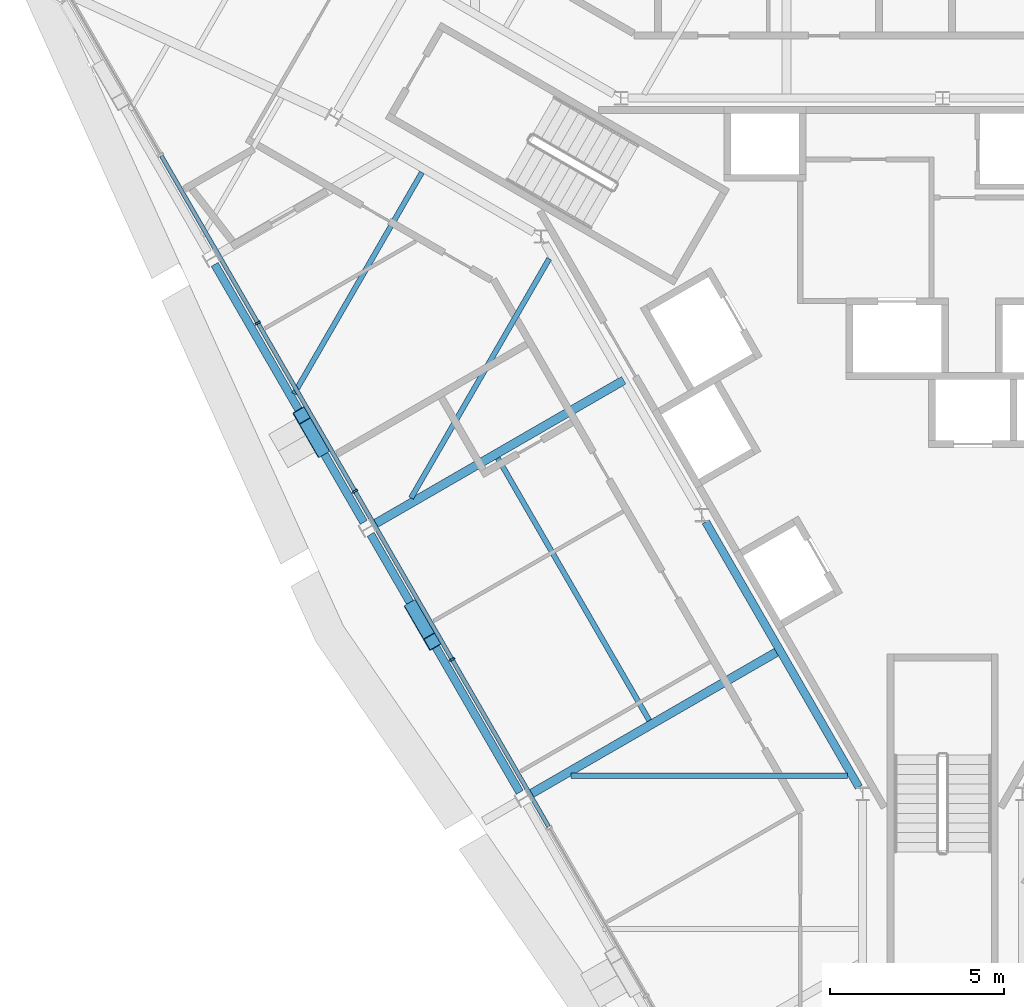
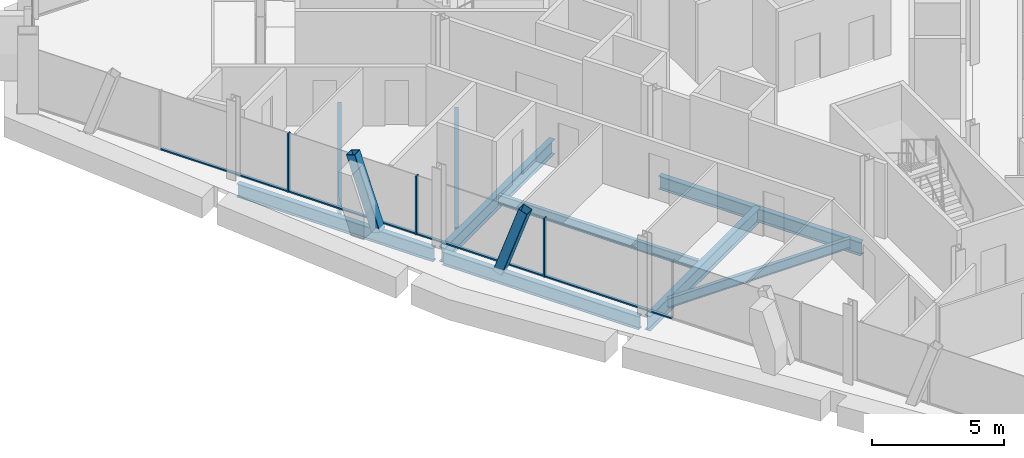
# One storey, part 4 of 16: 9 beams, 9 members, 1 element without a shape of its own.
"""IFC4 building model written with IfcOpenShell, lengths in metres."""

import ifcopenshell
import ifcopenshell.guid

model = None  # the IFC model being written
_history = None  # IfcOwnerHistory: only IFC2X3 demands one
_inside = {}  # id of a spatial element -> (the spatial element, [elements in it])
_under = {}  # id of a project, library or spatial element -> (it, [spatial elements below it])
_declared = {}  # id of a project -> (the project, [libraries it declares])
_typed = {}  # id of a type object -> (the type object, [elements of that type])
_made_of = {}  # id of a material, layer set ... -> (it, [elements and type objects made of it])


def new_model(schema):
    """Start an empty IFC model of exactly this schema.

    Asked for "IFC4X3", IfcOpenShell would pick the latest addendum, in which some entities
    have other attributes; the version numbers below select the first issue.
    IFC2X3 requires an IfcOwnerHistory on every rooted entity: one is made here for all.
    """
    global model, _history
    if schema == "IFC4X3":
        model = ifcopenshell.file(schema_version=(4, 3, 0, 0))
    else:
        model = ifcopenshell.file(schema=schema)
    _inside.clear()
    _under.clear()
    _declared.clear()
    _typed.clear()
    _made_of.clear()
    _history = None
    if model.schema == "IFC2X3":
        org = make("IfcOrganization", Name="unknown")
        user = make(
            "IfcPersonAndOrganization",
            ThePerson=make("IfcPerson", FamilyName="unknown"),
            TheOrganization=org,
        )
        app = make(
            "IfcApplication",
            ApplicationDeveloper=org,
            Version="unknown",
            ApplicationFullName="unknown",
            ApplicationIdentifier="unknown",
        )
        _history = make(
            "IfcOwnerHistory",
            OwningUser=user,
            OwningApplication=app,
            ChangeAction="ADDED",
            CreationDate=0,
        )
    return model


def make(cls, **values):
    """One entity of the class cls with the attributes given. An attribute that is None is left unset."""
    return model.create_entity(
        cls, **{name: value for name, value in values.items() if value is not None}
    )


def rooted(cls, **values):
    """An entity with a GlobalId (a new one), such as an element, a storey or a relation."""
    return make(cls, GlobalId=ifcopenshell.guid.new(), OwnerHistory=_history, **values)


def si_unit(unit_type, name, prefix=None):
    """IfcSIUnit, for example si_unit("LENGTHUNIT", "METRE", prefix="MILLI")."""
    return make("IfcSIUnit", UnitType=unit_type, Prefix=prefix, Name=name)


def assignment(units):
    """IfcUnitAssignment: the units of a project."""
    return None if units is None else make("IfcUnitAssignment", Units=units)


def point(xyz):
    """IfcCartesianPoint."""
    return None if xyz is None else make("IfcCartesianPoint", Coordinates=xyz)


def direction(xyz):
    """IfcDirection."""
    return None if xyz is None else make("IfcDirection", DirectionRatios=xyz)


def frame(location, z_axis=None, x_axis=None):
    """IfcAxis2Placement3D, a coordinate frame: its origin and axes. An axis left out is left unset."""
    return make(
        "IfcAxis2Placement3D",
        Location=point(location),
        Axis=direction(z_axis),
        RefDirection=direction(x_axis),
    )


def frame_2d(location, x_axis=None):
    """IfcAxis2Placement2D, a coordinate frame in the plane: its origin and x axis."""
    return make(
        "IfcAxis2Placement2D", Location=point(location), RefDirection=direction(x_axis)
    )


def origin():
    """The frame at (0, 0, 0) with its axes left unset."""
    return frame((0.0, 0.0, 0.0))


def origin_2d():
    """The frame at (0, 0) in the plane with its x axis left unset."""
    return frame_2d((0.0, 0.0))


def place(relative_to, where):
    """IfcLocalPlacement: puts the frame where relative to a parent placement (None: the world)."""
    return make(
        "IfcLocalPlacement", PlacementRelTo=relative_to, RelativePlacement=where
    )


def context(
    kind, dimensions, precision=None, world=None, true_north=None, identifier=None
):
    """IfcGeometricRepresentationContext, for example the 3D "Model" context."""
    return make(
        "IfcGeometricRepresentationContext",
        ContextIdentifier=identifier,
        ContextType=kind,
        CoordinateSpaceDimension=dimensions,
        Precision=precision,
        WorldCoordinateSystem=world,
        TrueNorth=true_north,
    )


def subcontext(parent, identifier, kind, view, scale=None):
    """IfcGeometricRepresentationSubContext, for example "Body" below "Model"."""
    return make(
        "IfcGeometricRepresentationSubContext",
        ContextIdentifier=identifier,
        ContextType=kind,
        ParentContext=parent,
        TargetScale=scale,
        TargetView=view,
    )


def project(units=None, contexts=None):
    """IfcProject with its units and contexts."""
    return rooted(
        "IfcProject",
        Name="project",
        RepresentationContexts=contexts,
        UnitsInContext=assignment(units),
    )


def spatial(cls, under=None, at=None, **own):
    """A site, building, storey or space (cls), placed at a placement, below another one or the project."""
    s = rooted(cls, ObjectPlacement=at, **own)
    if under is not None:
        _under.setdefault(under.id(), (under, []))[1].append(s)
    return s


def profile(cls, at=None, kind="AREA", **sizes):
    """A parametric profile (cls). Its sizes go by their IFC names, for example OverallWidth=200.0."""
    return make(cls, ProfileType=kind, Position=at, **sizes)


def rectangle(**sizes):
    """IfcRectangleProfileDef."""
    return profile("IfcRectangleProfileDef", **sizes)


def hollow_rectangle(**sizes):
    """IfcRectangleHollowProfileDef."""
    return profile("IfcRectangleHollowProfileDef", **sizes)


def i_section(**sizes):
    """IfcIShapeProfileDef."""
    return profile("IfcIShapeProfileDef", **sizes)


def extrude(swept, where, along, depth):
    """IfcExtrudedAreaSolid: the profile swept, set in the frame where, extruded along a direction by depth."""
    return make(
        "IfcExtrudedAreaSolid",
        SweptArea=swept,
        Position=where,
        ExtrudedDirection=direction(along),
        Depth=depth,
    )


def shape(context_of_items, identifier, shape_type, items):
    """IfcShapeRepresentation: the items that make up one representation, for example the "Body"."""
    return make(
        "IfcShapeRepresentation",
        ContextOfItems=context_of_items,
        RepresentationIdentifier=identifier,
        RepresentationType=shape_type,
        Items=items,
    )


def material(Name=None, Category=None):
    """IfcMaterial."""
    return make("IfcMaterial", Name=Name, Category=Category)


def material_profile(
    of_material, cross_section, Name=None, Category=None, Priority=None
):
    """IfcMaterialProfile: a cross section and its material."""
    return make(
        "IfcMaterialProfile",
        Name=Name,
        Material=of_material,
        Profile=cross_section,
        Priority=Priority,
        Category=Category,
    )


def profile_set(profiles, Name=None, composite=None):
    """IfcMaterialProfileSet."""
    return make(
        "IfcMaterialProfileSet",
        Name=Name,
        MaterialProfiles=profiles,
        CompositeProfile=composite,
    )


def made_of(thing, what):
    """Note that an element or type object is made of a material, layer set ...; save() writes the relation."""
    if what is not None:
        _made_of.setdefault(what.id(), (what, []))[1].append(thing)
    return thing


def type_object(cls, material=None, **own):
    """A type object (cls), such as IfcWallType, which elements share."""
    return made_of(rooted(cls, **own), material)


def element(
    cls,
    number,
    at=None,
    inside=None,
    cuts=None,
    type_object=None,
    material=None,
    context=None,
    identifier="Body",
    shape_type=None,
    held_by="IfcProductDefinitionShape",
    body=None,
    shapes=None,
    **own,
):
    """One element of the class cls, such as IfcWall. Its Tag is "e" and its number.

    at: its placement. inside: the storey or other place that contains it. cuts: it is an
    opening in that element (IfcRelVoidsElement). A single representation is given by context,
    identifier, shape_type and body (its items); several are given by shapes. held_by: the class
    of the entity that holds the representations. save() writes the other relations.
    """
    e = rooted(cls, Tag="e%d" % number, ObjectPlacement=at, **own)
    if body is not None:
        shapes = [shape(context, identifier, shape_type, body)]
    if shapes is not None:
        e.Representation = make(held_by, Representations=shapes)
    if inside is not None:
        _inside.setdefault(inside.id(), (inside, []))[1].append(e)
    if cuts is not None:
        rooted(
            "IfcRelVoidsElement", RelatingBuildingElement=cuts, RelatedOpeningElement=e
        )
    if type_object is not None:
        _typed.setdefault(type_object.id(), (type_object, []))[1].append(e)
    return made_of(e, material)


def aggregate(whole, parts):
    """IfcRelAggregates: a whole, such as a stair, and the parts it consists of."""
    return rooted("IfcRelAggregates", RelatingObject=whole, RelatedObjects=parts)


def save(model, path):
    """Write the relations noted so far, then the file.

    IfcRelAggregates (storeys below a building ...), IfcRelContainedInSpatialStructure (elements
    in a storey), IfcRelDefinesByType, IfcRelAssociatesMaterial and IfcRelDeclares: one each for
    every whole, place, type object, material and project.
    """
    for whole, parts in _under.values():
        aggregate(whole, parts)
    for where, things in _inside.values():
        rooted(
            "IfcRelContainedInSpatialStructure",
            RelatedElements=things,
            RelatingStructure=where,
        )
    for kind, things in _typed.values():
        rooted("IfcRelDefinesByType", RelatedObjects=things, RelatingType=kind)
    for what, things in _made_of.values():
        rooted("IfcRelAssociatesMaterial", RelatedObjects=things, RelatingMaterial=what)
    for by, libraries in _declared.values():
        rooted("IfcRelDeclares", RelatingContext=by, RelatedDefinitions=libraries)
    model.write(path)


model = new_model("IFC4")

# Units and contexts
model_context = context("Model", 3, precision=1e-05, world=origin(), true_north=direction((0.0, 1.0)))
body_context = subcontext(model_context, "Body", "Model", "MODEL_VIEW")
ifc_project = project(units=[si_unit("LENGTHUNIT", "METRE"), si_unit("AREAUNIT", "SQUARE_METRE"), si_unit("VOLUMEUNIT", "CUBIC_METRE"), si_unit("PLANEANGLEUNIT", "RADIAN"), si_unit("MASSUNIT", "GRAM", prefix="KILO")], contexts=[model_context])

# Site, building, storey
site_placement = place(None, origin())
site = spatial("IfcSite", under=ifc_project, at=site_placement, CompositionType="ELEMENT")
building_placement = place(site_placement, origin())
building = spatial("IfcBuilding", under=site, at=building_placement, Name="Verrane Prism Tower", CompositionType="ELEMENT")
storey_placement = place(building_placement, frame((0.0, 0.0, 239.699951171875)))
storey = spatial("IfcBuildingStorey", under=building, at=storey_placement, Name="L60", CompositionType="ELEMENT", Elevation=239.699951171875)

# Beam
ifc_material_1 = material(Name="Steel A992", Category="steel")
ifc_material_profile_1 = material_profile(ifc_material_1, i_section(OverallWidth=0.23046875, OverallDepth=0.6171875, WebThickness=0.01318359375, FlangeThickness=0.022216796875, FilletRadius=0.012939453125, at=origin_2d()), Name="W24x94")
ifc_profile_set_1 = profile_set([ifc_material_profile_1], Name="Steel A992")
beam_type_1 = type_object("IfcBeamType", Name="Core ring girder W24x94", PredefinedType="BEAM", material=ifc_profile_set_1)
beam_1_placement = place(storey_placement, frame((-6.818603515625, -4.193115234375, -0.55859375), z_axis=(0.499987781028, -0.866032458297, 0.0), x_axis=(0.866032458297, 0.499987781028, 0.0)))
element("IfcBeam", 1, at=beam_1_placement, inside=storey, type_object=beam_type_1, Name="Core ring girder L60", PredefinedType="BEAM", context=body_context, shape_type="SweptSolid", body=[
    extrude(i_section(OverallWidth=0.23046875, OverallDepth=0.6171875, WebThickness=0.01318359375, FlangeThickness=0.022216796875, FilletRadius=0.012939453125, at=origin_2d()), origin(), (0.0, 0.0, 1.0), 8.814697265625),
])

# Members
ifc_material_2 = material(Name="Steel A500 Grade C", Category="steel")
ifc_material_profile_2 = material_profile(ifc_material_2, hollow_rectangle(XDim=0.406494140625, YDim=0.406494140625, WallThickness=0.01904296875, InnerFilletRadius=0.009521484375, OuterFilletRadius=0.028564453125, at=origin_2d()), Name="HSS16x16x3/4")
ifc_profile_set_2 = profile_set([ifc_material_profile_2], Name="Steel A500 Grade C")
member_type_1 = type_object("IfcMemberType", Name="Facade brace HSS16x16x3/4", PredefinedType="BRACE", material=ifc_profile_set_2)
for number, where, z_axis, x_axis, name in (
    (2, (-17.886474609375, -2.08447265625, -0.216552734375), (-0.16384175774, 0.283511200178, 0.944868920959), (-0.865818389913, -0.500358387246, 0.0), "Facade brace SW1 L60"),
    (3, (-15.2333984375, -6.675537109375, -0.216552734375), (0.163771517036, -0.28351455219, 0.944880092342), (0.865913875866, 0.500193122286, 0.0), "Facade brace SW2 L60"),
):
    element("IfcMember", number, at=place(storey_placement, frame(where, z_axis=z_axis, x_axis=x_axis)), inside=storey, type_object=member_type_1, Name=name, PredefinedType="BRACE", context=body_context, shape_type="SweptSolid", body=[
        extrude(hollow_rectangle(XDim=0.406494140625, YDim=0.406494140625, WallThickness=0.01904296875, InnerFilletRadius=0.009521484375, OuterFilletRadius=0.028564453125, at=origin_2d()), origin(), (0.0, 0.0, 1.0), 3.382568359375),
    ])

# Beams
ifc_material_3 = material(Name="Steel A992", Category="steel")
ifc_material_profile_3 = material_profile(ifc_material_3, i_section(OverallWidth=0.15234375, OverallDepth=0.449462890625, WebThickness=0.007568359375, FlangeThickness=0.0107421875, FilletRadius=0.01025390625, at=origin_2d()), Name="W18x35")
ifc_profile_set_3 = profile_set([ifc_material_profile_3], Name="Steel A992")
beam_type_2 = type_object("IfcBeamType", Name="Floor beam W18x35", PredefinedType="BEAM", material=ifc_profile_set_3)
beam_2_placement = place(storey_placement, frame((-15.298583984375, -3.506103515625, -0.384765625), z_axis=(0.500009511199, 0.866019912421, 0.0), x_axis=(-0.866019912421, 0.500009511199, 0.0)))
element("IfcBeam", 4, at=beam_2_placement, inside=storey, type_object=beam_type_2, Name="Floor beam L60", PredefinedType="BEAM", context=body_context, shape_type="SweptSolid", body=[
    extrude(i_section(OverallWidth=0.15234375, OverallDepth=0.449462890625, WebThickness=0.007568359375, FlangeThickness=0.0107421875, FilletRadius=0.01025390625, at=origin_2d()), origin(), (0.0, 0.0, 1.0), 7.950927734375),
])
beam_3_placement = place(storey_placement, frame((-18.664794921875, -0.5078125, -0.384765625), z_axis=(0.499983921128, 0.866034686726, 0.0), x_axis=(-0.866034686726, 0.499983921128, 0.0)))
element("IfcBeam", 5, at=beam_3_placement, inside=storey, type_object=beam_type_2, Name="Floor beam L60", PredefinedType="BEAM", context=body_context, shape_type="SweptSolid", body=[
    extrude(i_section(OverallWidth=0.15234375, OverallDepth=0.449462890625, WebThickness=0.007568359375, FlangeThickness=0.0107421875, FilletRadius=0.01025390625, at=origin_2d()), origin(), (0.0, 0.0, 1.0), 7.355224609375),
])
beam_4_placement = place(storey_placement, frame((-8.442626953125, -9.90966796875, -0.384765625), z_axis=(-0.500012552615, 0.866018156408, 0.0), x_axis=(-0.866018156408, -0.500012552615, 0.0)))
element("IfcBeam", 6, at=beam_4_placement, inside=storey, type_object=beam_type_2, Name="Floor beam L60", PredefinedType="BEAM", context=body_context, shape_type="SweptSolid", body=[
    extrude(i_section(OverallWidth=0.15234375, OverallDepth=0.449462890625, WebThickness=0.007568359375, FlangeThickness=0.0107421875, FilletRadius=0.01025390625, at=origin_2d()), origin(), (0.0, 0.0, 1.0), 8.717529296875),
])
beam_5_placement = place(storey_placement, frame((-10.68994140625, -11.5, -0.384765625), z_axis=(1.0, 0.0, 0.0), x_axis=(0.0, 1.0, 0.0)))
element("IfcBeam", 7, at=beam_5_placement, inside=storey, type_object=beam_type_2, Name="Floor beam L60", PredefinedType="BEAM", context=body_context, shape_type="SweptSolid", body=[
    extrude(i_section(OverallWidth=0.15234375, OverallDepth=0.449462890625, WebThickness=0.007568359375, FlangeThickness=0.0107421875, FilletRadius=0.01025390625, at=origin_2d()), origin(), (0.0, 0.0, 1.0), 7.956298828125),
])

# Curtain wall, members
ifc_material_4 = material(Name="Aluminium framed insulated glazing", Category="aluminium")
curtain_wall_type = type_object("IfcCurtainWallType", Name="Curtain wall CW-B 5600 module", PredefinedType="NOTDEFINED", material=ifc_material_4)
curtain_wall_placement = place(storey_placement, origin())
curtain_wall = element("IfcCurtainWall", 8, at=curtain_wall_placement, inside=storey, type_object=curtain_wall_type, Name="Glazed curtain wall south-west face L60", PredefinedType="NOTDEFINED")
ifc_material_5 = material(Name="Aluminium alloy 6063-T6", Category="aluminium")
ifc_material_profile_4 = material_profile(ifc_material_5, rectangle(XDim=0.159912109375, YDim=0.06005859375, at=origin_2d()), Name="Mullion 60x160 aluminium")
ifc_profile_set_4 = profile_set([ifc_material_profile_4], Name="Aluminium alloy 6063-T6")
member_type_2 = type_object("IfcMemberType", Name="Mullion 60x160 aluminium", PredefinedType="MULLION", material=ifc_profile_set_4)
member_1_placement = place(storey_placement, frame((-19.707763671875, 1.53125, 0.0), z_axis=(0.0, 0.0, 1.0), x_axis=(0.866025759098, 0.499999384578, 0.0)))
member_1 = element("IfcMember", 9, at=member_1_placement, type_object=member_type_2, Name="CW59.4 mullion 3", PredefinedType="MULLION", context=body_context, shape_type="SweptSolid", body=[
    extrude(rectangle(XDim=0.159912109375, YDim=0.06005859375, at=origin_2d()), origin(), (0.0, 0.0, 1.0), 2.712890625),
])
member_2_placement = place(storey_placement, frame((-16.91259765625, -3.309814453125, 0.0), z_axis=(0.0, 0.0, 1.0), x_axis=(0.866025759098, 0.499999384578, 0.0)))
member_2 = element("IfcMember", 10, at=member_2_placement, type_object=member_type_2, Name="CW59.4 mullion 4", PredefinedType="MULLION", context=body_context, shape_type="SweptSolid", body=[
    extrude(rectangle(XDim=0.159912109375, YDim=0.06005859375, at=origin_2d()), origin(), (0.0, 0.0, 1.0), 2.712890625),
])
member_3_placement = place(storey_placement, frame((-14.11767578125, -8.15087890625, 0.0), z_axis=(0.0, 0.0, 1.0), x_axis=(0.866025759098, 0.499999384578, 0.0)))
member_3 = element("IfcMember", 11, at=member_3_placement, type_object=member_type_2, Name="CW59.4 mullion 5", PredefinedType="MULLION", context=body_context, shape_type="SweptSolid", body=[
    extrude(rectangle(XDim=0.159912109375, YDim=0.06005859375, at=origin_2d()), origin(), (0.0, 0.0, 1.0), 2.712890625),
])

# Beams
ifc_material_6 = material(Name="Steel A992", Category="steel")
ifc_material_profile_5 = material_profile(ifc_material_6, i_section(OverallWidth=0.25390625, OverallDepth=0.683349609375, WebThickness=0.012451171875, FlangeThickness=0.01904296875, FilletRadius=0.01513671875, at=origin_2d()), Name="W27x94")
ifc_profile_set_5 = profile_set([ifc_material_profile_5], Name="Steel A992")
beam_type_3 = type_object("IfcBeamType", Name="Radial girder W27x94", PredefinedType="BEAM", material=ifc_profile_set_5)
beam_6_placement = place(storey_placement, frame((-16.392822265625, -4.283447265625, -0.5615234375), z_axis=(0.866025143971, 0.50000045001, 0.0), x_axis=(-0.50000045001, 0.866025143971, 0.0)))
element("IfcBeam", 12, at=beam_6_placement, inside=storey, type_object=beam_type_3, Name="Radial girder L60", PredefinedType="BEAM", context=body_context, shape_type="SweptSolid", body=[
    extrude(i_section(OverallWidth=0.25390625, OverallDepth=0.683349609375, WebThickness=0.012451171875, FlangeThickness=0.01904296875, FilletRadius=0.01513671875, at=origin_2d()), origin(), (0.0, 0.0, 1.0), 8.3369140625),
])
beam_7_placement = place(storey_placement, frame((-11.90283203125, -12.053466796875, -0.5615234375), z_axis=(0.866031416415, 0.499989585674, 0.0), x_axis=(-0.499989585674, 0.866031416415, 0.0)))
element("IfcBeam", 13, at=beam_7_placement, inside=storey, type_object=beam_type_3, Name="Radial girder L60", PredefinedType="BEAM", context=body_context, shape_type="SweptSolid", body=[
    extrude(i_section(OverallWidth=0.25390625, OverallDepth=0.683349609375, WebThickness=0.012451171875, FlangeThickness=0.01904296875, FilletRadius=0.01513671875, at=origin_2d()), origin(), (0.0, 0.0, 1.0), 8.333251953125),
])
ifc_material_7 = material(Name="Steel A992", Category="steel")
ifc_material_profile_6 = material_profile(ifc_material_7, i_section(OverallWidth=0.23046875, OverallDepth=0.6171875, WebThickness=0.01318359375, FlangeThickness=0.022216796875, FilletRadius=0.012939453125, at=origin_2d()), Name="W24x94")
ifc_profile_set_6 = profile_set([ifc_material_profile_6], Name="Steel A992")
beam_type_4 = type_object("IfcBeamType", Name="Spandrel beam W24x94", PredefinedType="SPANDREL", material=ifc_profile_set_6)
for number, where, z_axis, x_axis, name in (
    (14, (-20.9501953125, 3.21728515625, -0.468505859375), (0.500312223767, -0.86584506625, 0.0), (0.86584506625, 0.500312223767, 0.0), "Spandrel beam L60"),
    (15, (-16.460205078125, -4.552490234375, -0.468505859375), (0.500312223767, -0.86584506625, 0.0), (0.86584506625, 0.500312223767, 0.0), "Spandrel beam L60"),
):
    element("IfcBeam", number, at=place(storey_placement, frame(where, z_axis=z_axis, x_axis=x_axis)), inside=storey, type_object=beam_type_4, Name=name, PredefinedType="SPANDREL", context=body_context, shape_type="SweptSolid", body=[
        extrude(i_section(OverallWidth=0.23046875, OverallDepth=0.6171875, WebThickness=0.01318359375, FlangeThickness=0.022216796875, FilletRadius=0.012939453125, at=origin_2d()), origin(), (0.0, 0.0, 1.0), 8.5751953125),
    ])

# Member
ifc_material_8 = material(Name="Aluminium alloy 6063-T6", Category="aluminium")
ifc_material_profile_7 = material_profile(ifc_material_8, rectangle(XDim=0.1201171875, YDim=0.06005859375, at=origin_2d()), Name="Transom 60x120 aluminium")
ifc_profile_set_7 = profile_set([ifc_material_profile_7], Name="Aluminium alloy 6063-T6")
member_type_3 = type_object("IfcMemberType", Name="Transom 60x120 aluminium", PredefinedType="USERDEFINED", material=ifc_profile_set_7)
member_4_placement = place(storey_placement, frame((-22.487548828125, 6.34619140625, 0.030029296875), z_axis=(0.499989971015, -0.866031193944, 0.0), x_axis=(0.866031193944, 0.499989971015, 0.0)))
member_4 = element("IfcMember", 16, at=member_4_placement, type_object=member_type_3, Name="CW59.4 transom 2", ObjectType="TRANSOM", PredefinedType="USERDEFINED", context=body_context, shape_type="SweptSolid", body=[
    extrude(rectangle(XDim=0.1201171875, YDim=0.06005859375, at=origin_2d()), origin(), (0.0, 0.0, 1.0), 5.52978515625),
])

member_5_placement = place(storey_placement, frame((-19.692626953125, 1.505126953125, 0.030029296875), z_axis=(0.499989971015, -0.866031193944, 0.0), x_axis=(0.866031193944, 0.499989971015, 0.0)))
member_5 = element("IfcMember", 17, at=member_5_placement, type_object=member_type_3, Name="CW59.4 transom 3", ObjectType="TRANSOM", PredefinedType="USERDEFINED", context=body_context, shape_type="SweptSolid", body=[
    extrude(rectangle(XDim=0.1201171875, YDim=0.06005859375, at=origin_2d()), origin(), (0.0, 0.0, 1.0), 5.52978515625),
])

member_6_placement = place(storey_placement, frame((-16.897705078125, -3.3359375, 0.030029296875), z_axis=(0.499989971015, -0.866031193944, 0.0), x_axis=(0.866031193944, 0.499989971015, 0.0)))
member_6 = element("IfcMember", 18, at=member_6_placement, type_object=member_type_3, Name="CW59.4 transom 4", ObjectType="TRANSOM", PredefinedType="USERDEFINED", context=body_context, shape_type="SweptSolid", body=[
    extrude(rectangle(XDim=0.1201171875, YDim=0.06005859375, at=origin_2d()), origin(), (0.0, 0.0, 1.0), 5.52978515625),
])

member_7_placement = place(storey_placement, frame((-14.102783203125, -8.177001953125, 0.030029296875), z_axis=(0.499989971015, -0.866031193944, 0.0), x_axis=(0.866031193944, 0.499989971015, 0.0)))
member_7 = element("IfcMember", 19, at=member_7_placement, type_object=member_type_3, Name="CW59.4 transom 5", ObjectType="TRANSOM", PredefinedType="USERDEFINED", context=body_context, shape_type="SweptSolid", body=[
    extrude(rectangle(XDim=0.1201171875, YDim=0.06005859375, at=origin_2d()), origin(), (0.0, 0.0, 1.0), 5.52978515625),
])

aggregate(curtain_wall, [member_1, member_2, member_3, member_4, member_5, member_6, member_7])

save(model, "model.ifc")
